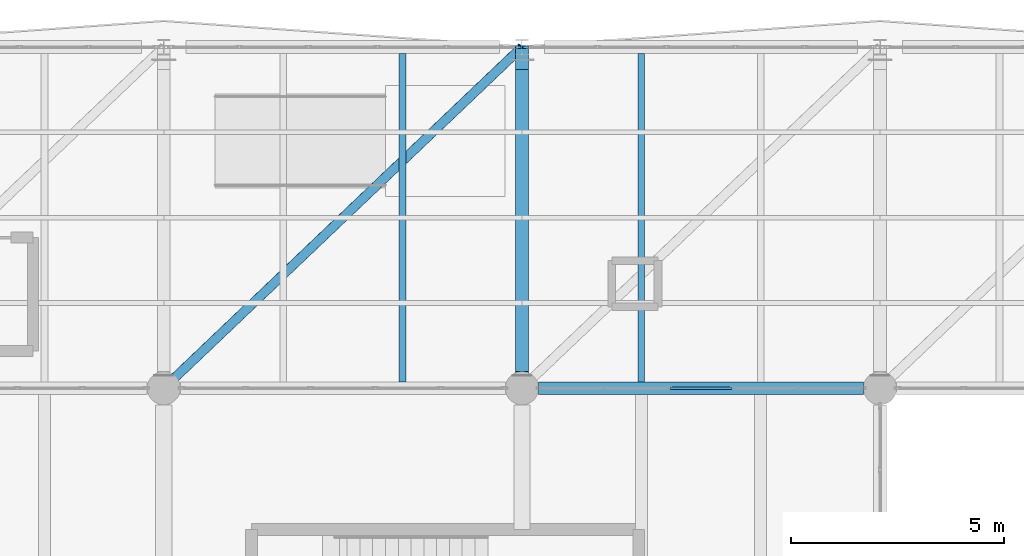
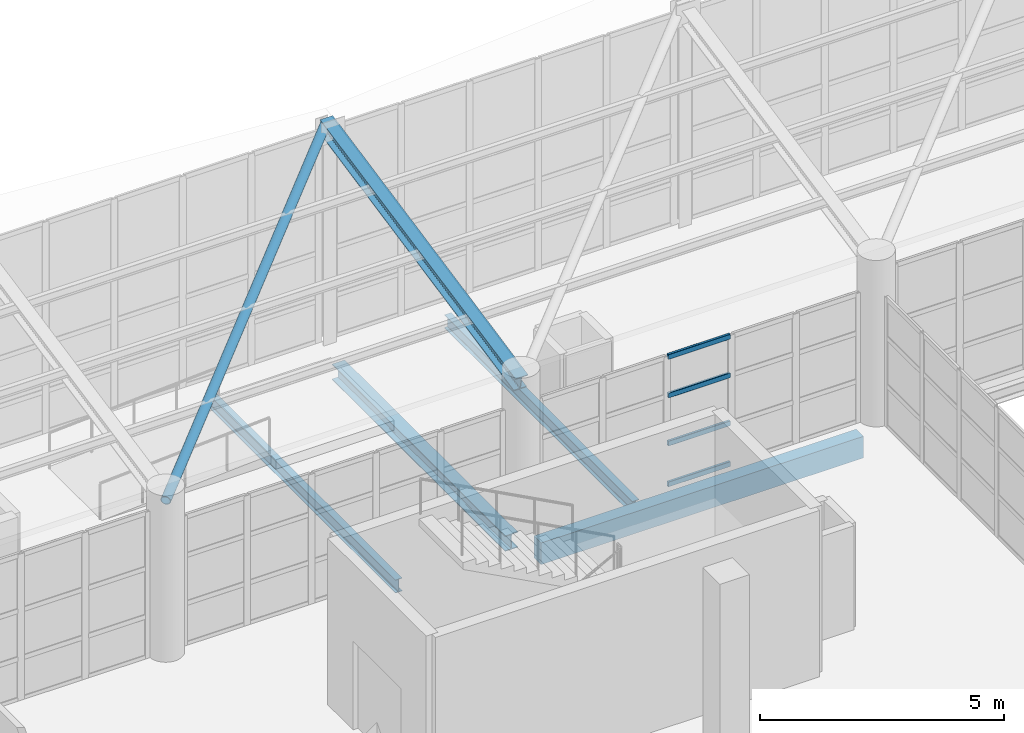
# One storey, part 98 of 177: 6 members, 4 beams, 1 element without a shape of its own.
"""IFC4 building model written with IfcOpenShell, lengths in metres."""

from ifc_helpers import new_model, si_unit, direction, frame, origin, origin_2d, place, context, subcontext, project, spatial, rectangle, hollow_rectangle, hollow_circle, i_section, extrude, material, layer, layer_set, material_profile, profile_set, type_object, element, aggregate, save


model = new_model("IFC4")

# Units and contexts
model_context = context("Model", 3, precision=1e-05, world=origin(), true_north=direction((0.0, 1.0)))
body_context = subcontext(model_context, "Body", "Model", "MODEL_VIEW")
ifc_project = project(units=[si_unit("LENGTHUNIT", "METRE"), si_unit("AREAUNIT", "SQUARE_METRE"), si_unit("VOLUMEUNIT", "CUBIC_METRE"), si_unit("PLANEANGLEUNIT", "RADIAN"), si_unit("MASSUNIT", "GRAM", prefix="KILO"), si_unit("THERMODYNAMICTEMPERATUREUNIT", "KELVIN"), si_unit("POWERUNIT", "WATT")], contexts=[model_context])

# Site, building, storey
site_placement = place(None, origin())
site = spatial("IfcSite", under=ifc_project, at=site_placement, CompositionType="ELEMENT")
building_placement = place(site_placement, origin())
building = spatial("IfcBuilding", under=site, at=building_placement, Name="Mavoryth Pier Ferry Terminal", CompositionType="ELEMENT")
storey_placement = place(building_placement, frame((0.0, 0.0, 5.43994140625)))
storey = spatial("IfcBuildingStorey", under=building, at=storey_placement, Name="L01", CompositionType="ELEMENT", Elevation=5.43994140625)

# Beam
ifc_material_1 = material(Name="Steel S355J2", Category="steel")
ifc_material_profile_1 = material_profile(ifc_material_1, i_section(OverallWidth=0.300048828125, OverallDepth=0.389892578125, WebThickness=0.010986328125, FlangeThickness=0.01904296875, FilletRadius=0.027099609375, at=origin_2d()), Name="HEA 400", Category="steel")
ifc_profile_set_1 = profile_set([ifc_material_profile_1], Name="Steel S355J2 - HEA 400")
beam_type_1 = type_object("IfcBeamType", Name="Beam-Steel-HEA400", PredefinedType="BEAM", material=ifc_profile_set_1)
beam_1_placement = place(storey_placement, frame((84.0, 106.389892578125, -0.43505859375), z_axis=(0.0, 1.0, 0.0), x_axis=(-1.0, 0.0, 0.0)))
element("IfcBeam", 1, at=beam_1_placement, inside=storey, type_object=beam_type_1, Name="Beam B01-SB04-0282", PredefinedType="BEAM", context=body_context, shape_type="SweptSolid", body=[
    extrude(i_section(OverallWidth=0.300048828125, OverallDepth=0.389892578125, WebThickness=0.010986328125, FlangeThickness=0.01904296875, FilletRadius=0.027099609375, at=origin_2d()), origin(), (0.0, 0.0, 1.0), 7.085205078125),
])

# Member
ifc_material_profile_2 = material_profile(ifc_material_1, hollow_circle(Radius=0.109619140625, WallThickness=0.010009765625, at=origin_2d()), Name="CHS 219.1x10.0", Category="steel")
ifc_profile_set_2 = profile_set([ifc_material_profile_2], Name="Steel S355J2 - CHS 219.1x10.0")
member_type_1 = type_object("IfcMemberType", Name="Brace-Diag-CHS219", PredefinedType="BRACE", material=ifc_profile_set_2)
member_1_placement = place(storey_placement, frame((75.60009765625, 106.0, 3.771240234375), z_axis=(0.717108654399, 0.682968563255, 0.138957257423), x_axis=(-0.689659376744, 0.724133926887, 0.0)))
element("IfcMember", 2, at=member_1_placement, inside=storey, type_object=member_type_1, Name="Steel Member MB-L01-0265", PredefinedType="BRACE", context=body_context, shape_type="SweptSolid", body=[
    extrude(hollow_circle(Radius=0.109619140625, WallThickness=0.010009765625, at=origin_2d()), origin(), (0.0, 0.0, 1.0), 11.713623046875),
])

# Beams
ifc_material_profile_3 = material_profile(ifc_material_1, i_section(OverallWidth=0.159912109375, OverallDepth=0.330078125, WebThickness=0.007568359375, FlangeThickness=0.011474609375, FilletRadius=0.01806640625, at=origin_2d()), Name="IPE 330", Category="steel")
ifc_profile_set_3 = profile_set([ifc_material_profile_3], Name="Steel S355J2 - IPE 330")
beam_type_2 = type_object("IfcBeamType", Name="Joist-Steel-IPE330", PredefinedType="JOIST", material=ifc_profile_set_3)
for number, where, z_axis, x_axis, name in (
    (3, (81.199951171875, 106.14990234375, -0.405029296875), (0.0, 1.0, 0.0), (-1.0, 0.0, 0.0), "Beam B01-SJ03-0296"),
    (4, (86.800048828125, 106.14990234375, -0.405029296875), (0.0, 1.0, 0.0), (-1.0, 0.0, 0.0), "Beam B01-SJ03-0297"),
):
    element("IfcBeam", number, at=place(storey_placement, frame(where, z_axis=z_axis, x_axis=x_axis)), inside=storey, type_object=beam_type_2, Name=name, PredefinedType="JOIST", context=body_context, shape_type="SweptSolid", body=[
        extrude(i_section(OverallWidth=0.159912109375, OverallDepth=0.330078125, WebThickness=0.007568359375, FlangeThickness=0.011474609375, FilletRadius=0.01806640625, at=origin_2d()), origin(), (0.0, 0.0, 1.0), 7.7001953125),
    ])

# Member
ifc_material_profile_4 = material_profile(ifc_material_1, i_section(OverallWidth=0.300048828125, OverallDepth=0.35009765625, WebThickness=0.010009765625, FlangeThickness=0.017578125, FilletRadius=0.027099609375, at=origin_2d()), Name="HEA 360", Category="steel")
ifc_profile_set_4 = profile_set([ifc_material_profile_4], Name="Steel S355J2 - HEA 360")
member_type_2 = type_object("IfcMemberType", Name="Rafter-Gallery-HEA360", PredefinedType="RAFTER", material=ifc_profile_set_4)
member_2_placement = place(storey_placement, frame((84.0, 106.0, 3.771240234375), z_axis=(0.0, 0.979923097627, 0.199375832882), x_axis=(-1.0, 0.0, 0.0)))
element("IfcMember", 5, at=member_2_placement, inside=storey, type_object=member_type_2, Name="Steel Member MB-L01-0241", PredefinedType="RAFTER", context=body_context, shape_type="SweptSolid", body=[
    extrude(i_section(OverallWidth=0.300048828125, OverallDepth=0.35009765625, WebThickness=0.010009765625, FlangeThickness=0.017578125, FilletRadius=0.027099609375, at=origin_2d()), origin(), (0.0, 0.0, 1.0), 8.163818359375),
])

# Beam
ifc_material_2 = material(Name="Concrete C35/45", Category="concrete")
ifc_material_profile_5 = material_profile(ifc_material_2, rectangle(XDim=0.300048828125, YDim=0.5400390625, at=origin_2d()), Name="RC 300x540", Category="concrete")
ifc_profile_set_5 = profile_set([ifc_material_profile_5], Name="Concrete C35/45 - RC 300x540")
beam_type_3 = type_object("IfcBeamType", Name="Spandrel-RC-300x540", PredefinedType="SPANDREL", material=ifc_profile_set_5)
beam_2_placement = place(storey_placement, frame((84.389892578125, 106.0, -0.550048828125), z_axis=(1.0, 0.0, 0.0), x_axis=(0.0, 1.0, 0.0)))
element("IfcBeam", 6, at=beam_2_placement, inside=storey, type_object=beam_type_3, Name="Beam B01-SP02-0203", PredefinedType="SPANDREL", context=body_context, shape_type="SweptSolid", body=[
    extrude(rectangle(XDim=0.300048828125, YDim=0.5400390625, at=origin_2d()), origin(), (0.0, 0.0, 1.0), 7.6201171875),
])

# Curtain wall, members
ifc_material_3 = material(Name="Anodised Aluminium and Solar-Control Low-E Glass", Category="aluminium")
ifc_layer = layer(ifc_material_3, 0.159912109375, Name="Anodised Aluminium and Solar-Control Low-E Glass", Category="aluminium")
ifc_layer_set = layer_set([ifc_layer], Name="Anodised Aluminium and Solar-Control Low-E Glass - CW-Arrivals-Mod1400")
curtain_wall_type = type_object("IfcCurtainWallType", Name="CW-Arrivals-Mod1400", PredefinedType="USERDEFINED", material=ifc_layer_set)
curtain_wall_placement = place(storey_placement, origin())
curtain_wall = element("IfcCurtainWall", 7, at=curtain_wall_placement, inside=storey, type_object=curtain_wall_type, Name="Curtain Wall CW-0122-061", ObjectType="UNITISED CURTAIN WALL", PredefinedType="USERDEFINED")
ifc_material_4 = material(Name="Anodised Aluminium EN AW-6063", Category="aluminium")
ifc_material_profile_6 = material_profile(ifc_material_4, hollow_rectangle(XDim=0.06005859375, YDim=0.125, WallThickness=0.00390625, InnerFilletRadius=0.00390625, OuterFilletRadius=0.008056640625, at=origin_2d()), Name="AL-TRAN 125x60x4", Category="aluminium")
ifc_profile_set_6 = profile_set([ifc_material_profile_6], Name="Anodised Aluminium EN AW-6063 - AL-TRAN 125x60x4")
member_type_3 = type_object("IfcMemberType", Name="Transom-Alum-125x60", PredefinedType="USERDEFINED", material=ifc_profile_set_6)
member_3_placement = place(storey_placement, frame((88.931884765625, 106.0, 0.030029296875), z_axis=(-1.0, 0.0, 0.0), x_axis=(0.0, -1.0, 0.0)))
member_3 = element("IfcMember", 8, at=member_3_placement, type_object=member_type_3, Name="CW04 transom 3.1", ObjectType="TRANSOM", PredefinedType="USERDEFINED", context=body_context, shape_type="SweptSolid", body=[
    extrude(hollow_rectangle(XDim=0.06005859375, YDim=0.125, WallThickness=0.00390625, InnerFilletRadius=0.00390625, OuterFilletRadius=0.008056640625, at=origin_2d()), origin(), (0.0, 0.0, 1.0), 1.4638671875),
])
member_4_placement = place(storey_placement, frame((88.931884765625, 106.0, 1.050048828125), z_axis=(-1.0, 0.0, 0.0), x_axis=(0.0, -1.0, 0.0)))
member_4 = element("IfcMember", 9, at=member_4_placement, type_object=member_type_3, Name="CW04 transom 3.2", ObjectType="TRANSOM", PredefinedType="USERDEFINED", context=body_context, shape_type="SweptSolid", body=[
    extrude(hollow_rectangle(XDim=0.06005859375, YDim=0.125, WallThickness=0.00390625, InnerFilletRadius=0.00390625, OuterFilletRadius=0.008056640625, at=origin_2d()), origin(), (0.0, 0.0, 1.0), 1.4638671875),
])
member_5_placement = place(storey_placement, frame((88.931884765625, 106.0, 2.25), z_axis=(-1.0, 0.0, 0.0), x_axis=(0.0, -1.0, 0.0)))
member_5 = element("IfcMember", 10, at=member_5_placement, type_object=member_type_3, Name="CW04 transom 3.3", ObjectType="TRANSOM", PredefinedType="USERDEFINED", context=body_context, shape_type="SweptSolid", body=[
    extrude(hollow_rectangle(XDim=0.06005859375, YDim=0.125, WallThickness=0.00390625, InnerFilletRadius=0.00390625, OuterFilletRadius=0.008056640625, at=origin_2d()), origin(), (0.0, 0.0, 1.0), 1.4638671875),
])
member_6_placement = place(storey_placement, frame((88.931884765625, 106.0, 3.215087890625), z_axis=(-1.0, 0.0, 0.0), x_axis=(0.0, -1.0, 0.0)))
member_6 = element("IfcMember", 11, at=member_6_placement, type_object=member_type_3, Name="CW04 transom 3.4", ObjectType="TRANSOM", PredefinedType="USERDEFINED", context=body_context, shape_type="SweptSolid", body=[
    extrude(hollow_rectangle(XDim=0.06005859375, YDim=0.125, WallThickness=0.00390625, InnerFilletRadius=0.00390625, OuterFilletRadius=0.008056640625, at=origin_2d()), origin(), (0.0, 0.0, 1.0), 1.4638671875),
])
aggregate(curtain_wall, [member_3, member_4, member_5, member_6])

save(model, "model.ifc")
